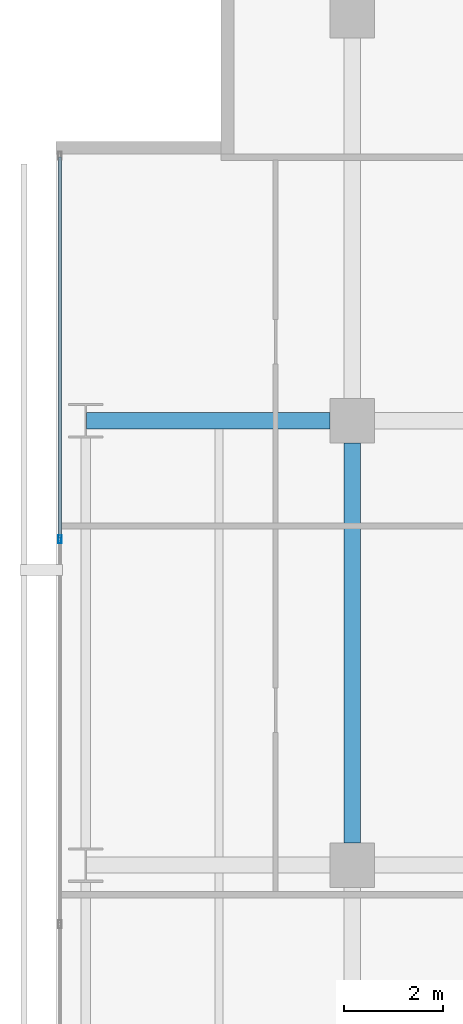
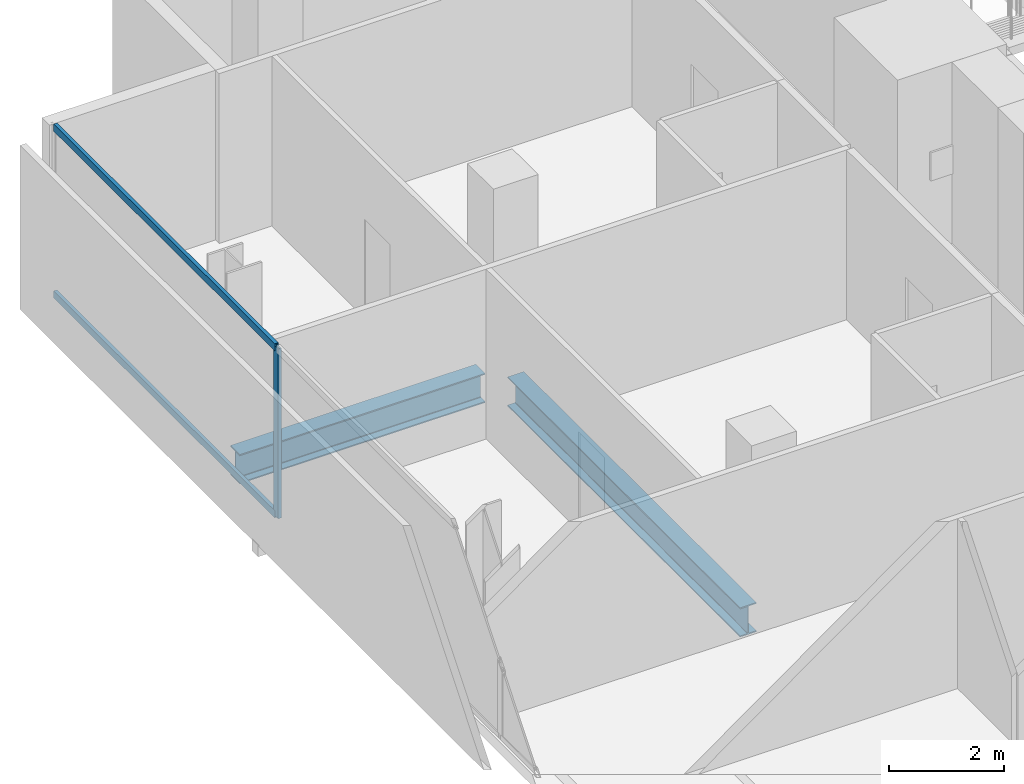
# One storey, part 23 of 40: 3 members, 2 beams, 1 element without a shape of its own.
"""IFC4 building model written with IfcOpenShell, lengths in metres."""

from ifc_helpers import new_model, si_unit, direction, frame, origin, origin_2d, place, context, subcontext, project, spatial, hollow_rectangle, i_section, extrude, material, layer, layer_set, material_profile, profile_set, type_object, element, aggregate, save


model = new_model("IFC4")

# Units and contexts
model_context = context("Model", 3, precision=1e-05, world=origin(), true_north=direction((0.0, 1.0)))
body_context = subcontext(model_context, "Body", "Model", "MODEL_VIEW")
ifc_project = project(units=[si_unit("LENGTHUNIT", "METRE"), si_unit("AREAUNIT", "SQUARE_METRE"), si_unit("VOLUMEUNIT", "CUBIC_METRE"), si_unit("PLANEANGLEUNIT", "RADIAN"), si_unit("MASSUNIT", "GRAM", prefix="KILO")], contexts=[model_context])

# Site, building, storey
site_placement = place(None, origin())
site = spatial("IfcSite", under=ifc_project, at=site_placement, CompositionType="ELEMENT")
building_placement = place(site_placement, origin())
building = spatial("IfcBuilding", under=site, at=building_placement, Name="Maruvema Waterfront Hotel and Observation Tower", CompositionType="ELEMENT")
storey_placement = place(building_placement, frame((0.0, 0.0, 50.050048828125)))
storey = spatial("IfcBuildingStorey", under=building, at=storey_placement, Name="L11", CompositionType="ELEMENT", Elevation=50.050048828125)

# Curtain wall, members
ifc_material_1 = material(Name="Anodised bronze aluminium and solar-control low-E IGU", Category="aluminium")
ifc_layer = layer(ifc_material_1, 0.159912109375, Name="Zone 1 Bronze Inner Thermal Curtain Wall System CW-02")
ifc_layer_set = layer_set([ifc_layer], Name="Anodised bronze aluminium and solar-control low-E IGU")
curtain_wall_type = type_object("IfcCurtainWallType", Name="Zone 1 Bronze Inner Thermal Curtain Wall System CW-02", PredefinedType="USERDEFINED", material=ifc_layer_set)
curtain_wall_placement = place(storey_placement, origin())
curtain_wall = element("IfcCurtainWall", 1, at=curtain_wall_placement, inside=storey, type_object=curtain_wall_type, Name="L11 Curtain Wall CW-L11-W", ObjectType="UNITISED CURTAIN WALL", PredefinedType="USERDEFINED")
ifc_material_2 = material(Name="Anodised architectural bronze aluminium", Category="aluminium")
ifc_material_profile_1 = material_profile(ifc_material_2, hollow_rectangle(XDim=0.070068359375, YDim=0.14990234375, WallThickness=0.00390625, at=origin_2d()), Name="ALU-T70x150")
ifc_profile_set_1 = profile_set([ifc_material_profile_1], Name="Anodised architectural bronze aluminium")
member_type_1 = type_object("IfcMemberType", Name="Curtain Wall Horizontal Transom ALU-T70x150", PredefinedType="USERDEFINED", material=ifc_profile_set_1)
member_1_placement = place(storey_placement, frame((10.8798828125, 50.340087890625, 0.030029296875), z_axis=(0.0, -1.0, 0.0), x_axis=(1.0, 0.0, 0.0)))
member_1 = element("IfcMember", 2, at=member_1_placement, type_object=member_type_1, Name="CW-02 transom 1.1", ObjectType="TRANSOM", PredefinedType="USERDEFINED", context=body_context, shape_type="SweptSolid", body=[
    extrude(hollow_rectangle(XDim=0.070068359375, YDim=0.14990234375, WallThickness=0.00390625, at=origin_2d()), origin(), (0.0, 0.0, 1.0), 7.710205078125),
])
member_2_placement = place(storey_placement, frame((10.8798828125, 50.340087890625, 3.579833984375), z_axis=(0.0, -1.0, 0.0), x_axis=(1.0, 0.0, 0.0)))
member_2 = element("IfcMember", 3, at=member_2_placement, type_object=member_type_1, Name="CW-02 transom 1.2", ObjectType="TRANSOM", PredefinedType="USERDEFINED", context=body_context, shape_type="SweptSolid", body=[
    extrude(hollow_rectangle(XDim=0.070068359375, YDim=0.14990234375, WallThickness=0.00390625, at=origin_2d()), origin(), (0.0, 0.0, 1.0), 7.710205078125),
])
ifc_material_3 = material(Name="Anodised architectural bronze aluminium", Category="aluminium")
ifc_material_profile_2 = material_profile(ifc_material_3, hollow_rectangle(XDim=0.06494140625, YDim=0.1650390625, WallThickness=0.00390625, at=origin_2d()), Name="ALU-M65x165")
ifc_profile_set_2 = profile_set([ifc_material_profile_2], Name="Anodised architectural bronze aluminium")
member_type_2 = type_object("IfcMemberType", Name="Curtain Wall Primary Mullion ALU-M65x165", PredefinedType="MULLION", material=ifc_profile_set_2)
member_3_placement = place(storey_placement, frame((10.8798828125, 42.60009765625, 0.0), z_axis=(0.0, 0.0, 1.0), x_axis=(1.0, 0.0, 0.0)))
member_3 = element("IfcMember", 4, at=member_3_placement, type_object=member_type_2, Name="CW-02 mullion 2", PredefinedType="MULLION", context=body_context, shape_type="SweptSolid", body=[
    extrude(hollow_rectangle(XDim=0.06494140625, YDim=0.1650390625, WallThickness=0.00390625, at=origin_2d()), origin(), (0.0, 0.0, 1.0), 3.60986328125),
])
aggregate(curtain_wall, [member_3, member_1, member_2])

# Beams
ifc_material_4 = material(Name="Steel ASTM A572 Grade 50", Category="steel")
ifc_material_profile_3 = material_profile(ifc_material_4, i_section(OverallWidth=0.326904296875, OverallDepth=0.6220703125, WebThickness=0.015380859375, FlangeThickness=0.0244140625, FilletRadius=0.01806640625, at=origin_2d()), Name="W610x195.0")
ifc_profile_set_3 = profile_set([ifc_material_profile_3], Name="Steel ASTM A572 Grade 50")
beam_type = type_object("IfcBeamType", Name="Primary Floor Girder W610x195.0", PredefinedType="BEAM", material=ifc_profile_set_3)
beam_1_placement = place(storey_placement, frame((11.4140625, 45.0, -0.551025390625), z_axis=(1.0, 0.0, 0.0), x_axis=(0.0, 1.0, 0.0)))
element("IfcBeam", 5, at=beam_1_placement, inside=storey, type_object=beam_type, Name="L11 Floor Girder EW-32", PredefinedType="BEAM", context=body_context, shape_type="SweptSolid", body=[
    extrude(i_section(OverallWidth=0.326904296875, OverallDepth=0.6220703125, WebThickness=0.015380859375, FlangeThickness=0.0244140625, FilletRadius=0.01806640625, at=origin_2d()), origin(), (0.0, 0.0, 1.0), 4.93603515625),
])
beam_2_placement = place(storey_placement, frame((16.800048828125, 36.449951171875, -0.551025390625), z_axis=(0.0, 1.0, 0.0), x_axis=(-1.0, 0.0, 0.0)))
element("IfcBeam", 6, at=beam_2_placement, inside=storey, type_object=beam_type, Name="L11 Floor Girder NS-09", PredefinedType="BEAM", context=body_context, shape_type="SweptSolid", body=[
    extrude(i_section(OverallWidth=0.326904296875, OverallDepth=0.6220703125, WebThickness=0.015380859375, FlangeThickness=0.0244140625, FilletRadius=0.01806640625, at=origin_2d()), origin(), (0.0, 0.0, 1.0), 8.10009765625),
])

save(model, "model.ifc")
